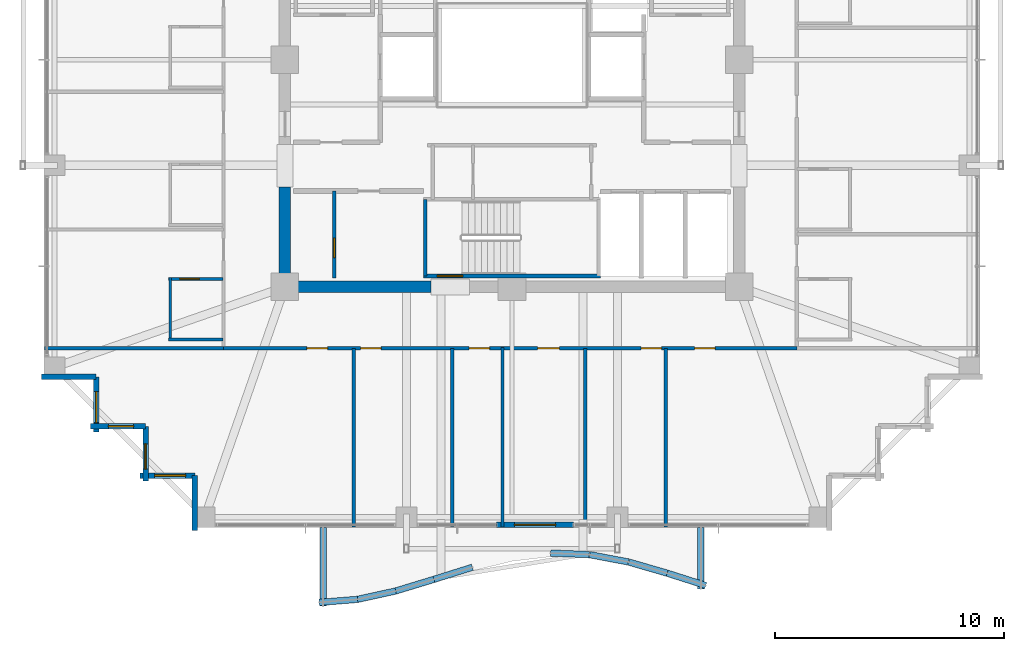
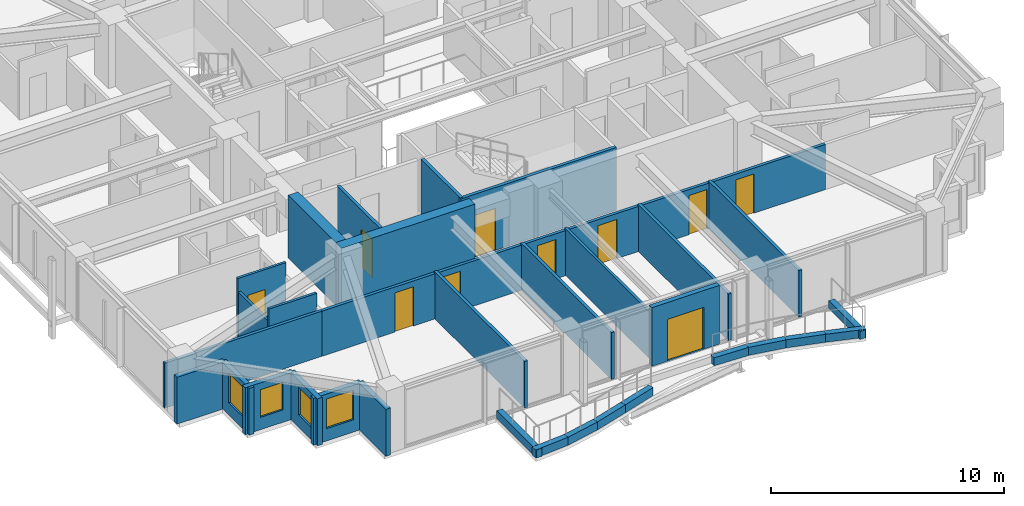
# One storey, part 31 of 37: 32 walls, 10 doors, 4 windows, 14 openings.
"""IFC4 building model written with IfcOpenShell, lengths in metres."""

from ifc_helpers import new_model, si_unit, direction, frame, frame_2d, origin, place, context, subcontext, project, spatial, rectangle, extrude, material, layer, layer_set, type_object, element, fill, save


model = new_model("IFC4")

# Units and contexts
model_context = context("Model", 3, precision=1e-05, world=origin(), true_north=direction((0.0, 1.0)))
body_context = subcontext(model_context, "Body", "Model", "MODEL_VIEW")
ifc_project = project(units=[si_unit("LENGTHUNIT", "METRE"), si_unit("AREAUNIT", "SQUARE_METRE"), si_unit("VOLUMEUNIT", "CUBIC_METRE"), si_unit("PLANEANGLEUNIT", "RADIAN"), si_unit("MASSUNIT", "GRAM", prefix="KILO")], contexts=[model_context])

# Site, building, storey
site_placement = place(None, origin())
site = spatial("IfcSite", under=ifc_project, at=site_placement, CompositionType="ELEMENT")
building_placement = place(site_placement, origin())
building = spatial("IfcBuilding", under=site, at=building_placement, Name="Kolvaren Belvedere", CompositionType="ELEMENT")
storey_placement = place(building_placement, frame((0.0, 0.0, 173.39990234375)))
storey = spatial("IfcBuildingStorey", under=building, at=storey_placement, Name="L50", CompositionType="ELEMENT", Elevation=173.39990234375)

# Walls
ifc_material_1 = material(Name="Concrete C50/60", Category="concrete")
ifc_layer_1 = layer(ifc_material_1, 0.5)
ifc_layer_set_1 = layer_set([ifc_layer_1], Name="Concrete C50/60")
wall_type_1 = type_object("IfcWallType", Name="CW-CORE-500", PredefinedType="SHEAR", material=ifc_layer_set_1)
wall_1_placement = place(storey_placement, frame((-3.5400390625, -9.89990234375, 0.0), z_axis=(0.0, 0.0, 1.0), x_axis=(-1.0, 0.0, 0.0)))
element("IfcWall", 1, at=wall_1_placement, inside=storey, type_object=wall_type_1, Name="L50 South Core Shear Wall 2", PredefinedType="SHEAR", context=body_context, shape_type="SweptSolid", body=[
    extrude(rectangle(XDim=6.60986328125, YDim=0.5, at=frame_2d((3.304931640625, 0.0))), origin(), (0.0, 0.0, 1.0), 3.300048828125),
])
wall_2_placement = place(storey_placement, frame((-9.89990234375, -9.64990234375, 0.0), z_axis=(0.0, 0.0, 1.0), x_axis=(0.0, 1.0, 0.0)))
element("IfcWall", 2, at=wall_2_placement, inside=storey, type_object=wall_type_1, Name="L50 West Core Shear Wall 1", PredefinedType="SHEAR", context=body_context, shape_type="SweptSolid", body=[
    extrude(rectangle(XDim=4.099853515625, YDim=0.5, at=frame_2d((2.0498046875, 0.0))), origin(), (0.0, 0.0, 1.0), 3.300048828125),
])

# Wall, opening, door
ifc_material_2 = material(Name="Concrete C50/60", Category="concrete")
ifc_layer_2 = layer(ifc_material_2, 0.159912109375)
ifc_layer_set_2 = layer_set([ifc_layer_2], Name="Concrete C50/60")
wall_type_2 = type_object("IfcWallType", Name="CW-STAIR-160", PredefinedType="SHEAR", material=ifc_layer_set_2)
wall_3_placement = place(storey_placement, frame((3.860107421875, -9.429931640625, 0.0), z_axis=(0.0, 0.0, 1.0), x_axis=(-1.0, 0.0, 0.0)))
wall_3 = element("IfcWall", 3, at=wall_3_placement, inside=storey, type_object=wall_type_2, Name="L50 Stair ST-3 South Shear Wall", PredefinedType="SHEAR", context=body_context, shape_type="SweptSolid", body=[
    extrude(rectangle(XDim=7.72021484375, YDim=0.159912109375, at=frame_2d((3.860107421875, 0.0))), origin(), (0.0, 0.0, 1.0), 3.300048828125),
])
opening_1_placement = place(wall_3_placement, frame((6.010009765625, 0.0, 0.0)))
opening_1 = element("IfcOpeningElement", 4, at=opening_1_placement, cuts=wall_3, Name="Opening D-FD90", PredefinedType="OPENING", context=body_context, shape_type="SweptSolid", body=[
    extrude(rectangle(XDim=1.10009765625, YDim=2.199951171875, at=frame_2d((0.550048828125, 1.10009765625))), frame((0.0, 0.08984375, 0.0), z_axis=(0.0, -1.0, 0.0), x_axis=(1.0, 0.0, 0.0)), (0.0, 0.0, 1.0), 0.179931640625),
])
ifc_material_3 = material(Name="Painted hollow stainless steel", Category="steel")
door_type_1 = type_object("IfcDoorType", Name="DR-FD90-1100", OperationType="NOTDEFINED", PredefinedType="DOOR", material=ifc_material_3)
door_1_placement = place(opening_1_placement, origin())
door_1 = element("IfcDoor", 5, at=door_1_placement, inside=storey, type_object=door_type_1, Name="L50 Stair ST-3 Exit Door", OperationType="SINGLE_SWING_RIGHT", OverallHeight=2.199951171875, OverallWidth=1.10009765625, PredefinedType="DOOR", context=body_context, shape_type="SweptSolid", body=[
    extrude(rectangle(XDim=1.10009765625, YDim=2.199951171875, at=frame_2d((0.550048828125, 1.10009765625))), frame((0.0, 0.02490234375, 0.0), z_axis=(0.0, -1.0, 0.0), x_axis=(1.0, 0.0, 0.0)), (0.0, 0.0, 1.0), 0.050048828125),
])
fill(opening_1, door_1)

# Wall
wall_4_placement = place(storey_placement, frame((-3.780029296875, -9.429931640625, 0.0), z_axis=(0.0, 0.0, 1.0), x_axis=(0.0, 1.0, 0.0)))
element("IfcWall", 6, at=wall_4_placement, inside=storey, type_object=wall_type_2, Name="L50 Stair ST-3 West Shear Wall", PredefinedType="SHEAR", context=body_context, shape_type="SweptSolid", body=[
    extrude(rectangle(XDim=3.349853515625, YDim=0.159912109375, at=frame_2d((1.6748046875, 0.0))), origin(), (0.0, 0.0, 1.0), 3.300048828125),
])

# Wall, openings, doors
ifc_material_4 = material(Name="Gypsum fire-rated partition assembly", Category="gypsum")
ifc_layer_3 = layer(ifc_material_4, 0.14990234375)
ifc_layer_set_3 = layer_set([ifc_layer_3], Name="Gypsum fire-rated partition assembly")
wall_type_3 = type_object("IfcWallType", Name="WL-CORR-150", PredefinedType="PARTITIONING", material=ifc_layer_set_3)
wall_5_placement = place(storey_placement, frame((-12.580078125, -12.580078125, 0.0), z_axis=(0.0, 0.0, 1.0), x_axis=(1.0, 0.0, 0.0)))
wall_5 = element("IfcWall", 7, at=wall_5_placement, inside=storey, type_object=wall_type_3, Name="L50 South Corridor Wall", PredefinedType="PARTITIONING", context=body_context, shape_type="SweptSolid", body=[
    extrude(rectangle(XDim=25.0, YDim=0.14990234375, at=frame_2d((12.5, 0.0))), origin(), (0.0, 0.0, 1.0), 2.369140625),
])
opening_2_placement = place(wall_5_placement, frame((3.639404296875, 0.0, 0.0)))
opening_2 = element("IfcOpeningElement", 8, at=opening_2_placement, cuts=wall_5, Name="Opening D-INT90", PredefinedType="OPENING", context=body_context, shape_type="SweptSolid", body=[
    extrude(rectangle(XDim=0.89990234375, YDim=2.06005859375, at=frame_2d((0.449951171875, 1.030029296875))), frame((0.0, 0.0849609375, 0.0), z_axis=(0.0, -1.0, 0.0), x_axis=(1.0, 0.0, 0.0)), (0.0, 0.0, 1.0), 0.169921875),
])
opening_3_placement = place(wall_5_placement, frame((5.974365234375, 0.0, 0.0)))
opening_3 = element("IfcOpeningElement", 9, at=opening_3_placement, cuts=wall_5, Name="Opening D-INT90", PredefinedType="OPENING", context=body_context, shape_type="SweptSolid", body=[
    extrude(rectangle(XDim=0.89990234375, YDim=2.06005859375, at=frame_2d((0.449951171875, 1.030029296875))), frame((0.0, 0.0849609375, 0.0), z_axis=(0.0, -1.0, 0.0), x_axis=(1.0, 0.0, 0.0)), (0.0, 0.0, 1.0), 0.169921875),
])
opening_4_placement = place(wall_5_placement, frame((10.70849609375, 0.0, 0.0)))
opening_4 = element("IfcOpeningElement", 10, at=opening_4_placement, cuts=wall_5, Name="Opening D-INT90", PredefinedType="OPENING", context=body_context, shape_type="SweptSolid", body=[
    extrude(rectangle(XDim=0.89990234375, YDim=2.06005859375, at=frame_2d((0.449951171875, 1.030029296875))), frame((0.0, 0.0849609375, 0.0), z_axis=(0.0, -1.0, 0.0), x_axis=(1.0, 0.0, 0.0)), (0.0, 0.0, 1.0), 0.169921875),
])
opening_5_placement = place(wall_5_placement, frame((13.69775390625, 0.0, 0.0)))
opening_5 = element("IfcOpeningElement", 11, at=opening_5_placement, cuts=wall_5, Name="Opening D-INT95", PredefinedType="OPENING", context=body_context, shape_type="SweptSolid", body=[
    extrude(rectangle(XDim=0.949951171875, YDim=2.06005859375, at=frame_2d((0.47509765625, 1.030029296875))), frame((0.0, 0.0849609375, 0.0), z_axis=(0.0, -1.0, 0.0), x_axis=(1.0, 0.0, 0.0)), (0.0, 0.0, 1.0), 0.169921875),
])
opening_6_placement = place(wall_5_placement, frame((18.20556640625, 0.0, 0.0)))
opening_6 = element("IfcOpeningElement", 12, at=opening_6_placement, cuts=wall_5, Name="Opening D-INT90", PredefinedType="OPENING", context=body_context, shape_type="SweptSolid", body=[
    extrude(rectangle(XDim=0.89990234375, YDim=2.06005859375, at=frame_2d((0.449951171875, 1.030029296875))), frame((0.0, 0.0849609375, 0.0), z_axis=(0.0, -1.0, 0.0), x_axis=(1.0, 0.0, 0.0)), (0.0, 0.0, 1.0), 0.169921875),
])
opening_7_placement = place(wall_5_placement, frame((20.54052734375, 0.0, 0.0)))
opening_7 = element("IfcOpeningElement", 13, at=opening_7_placement, cuts=wall_5, Name="Opening D-INT90", PredefinedType="OPENING", context=body_context, shape_type="SweptSolid", body=[
    extrude(rectangle(XDim=0.89990234375, YDim=2.06005859375, at=frame_2d((0.449951171875, 1.030029296875))), frame((0.0, 0.0849609375, 0.0), z_axis=(0.0, -1.0, 0.0), x_axis=(1.0, 0.0, 0.0)), (0.0, 0.0, 1.0), 0.169921875),
])
ifc_material_5 = material(Name="Stained Pacific white oak", Category="timber")
door_type_2 = type_object("IfcDoorType", Name="DR-INT-900", OperationType="NOTDEFINED", PredefinedType="DOOR", material=ifc_material_5)
door_2_placement = place(opening_2_placement, origin())
door_2 = element("IfcDoor", 14, at=door_2_placement, inside=storey, type_object=door_type_2, Name="L50 Guest Tea & Espresso Kitchen 5001 Door", OperationType="SINGLE_SWING_RIGHT", OverallHeight=2.06005859375, OverallWidth=0.89990234375, PredefinedType="DOOR", context=body_context, shape_type="SweptSolid", body=[
    extrude(rectangle(XDim=0.89990234375, YDim=2.06005859375, at=frame_2d((0.449951171875, 1.030029296875))), frame((0.0, 0.02490234375, 0.0), z_axis=(0.0, -1.0, 0.0), x_axis=(1.0, 0.0, 0.0)), (0.0, 0.0, 1.0), 0.050048828125),
])
fill(opening_2, door_2)
door_3_placement = place(opening_3_placement, origin())
door_3 = element("IfcDoor", 15, at=door_3_placement, inside=storey, type_object=door_type_2, Name="L50 Wellness Yoga & Reading Gym 5002 Door", OperationType="SINGLE_SWING_LEFT", OverallHeight=2.06005859375, OverallWidth=0.89990234375, PredefinedType="DOOR", context=body_context, shape_type="SweptSolid", body=[
    extrude(rectangle(XDim=0.89990234375, YDim=2.06005859375, at=frame_2d((0.449951171875, 1.030029296875))), frame((0.0, 0.02490234375, 0.0), z_axis=(0.0, -1.0, 0.0), x_axis=(1.0, 0.0, 0.0)), (0.0, 0.0, 1.0), 0.050048828125),
])
fill(opening_3, door_3)
door_4_placement = place(opening_4_placement, origin())
door_4 = element("IfcDoor", 16, at=door_4_placement, inside=storey, type_object=door_type_2, Name="L50 Housekeeping Door", OperationType="SINGLE_SWING_RIGHT", OverallHeight=2.06005859375, OverallWidth=0.89990234375, PredefinedType="DOOR", context=body_context, shape_type="SweptSolid", body=[
    extrude(rectangle(XDim=0.89990234375, YDim=2.06005859375, at=frame_2d((0.449951171875, 1.030029296875))), frame((0.0, 0.02490234375, 0.0), z_axis=(0.0, -1.0, 0.0), x_axis=(1.0, 0.0, 0.0)), (0.0, 0.0, 1.0), 0.050048828125),
])
fill(opening_4, door_4)
door_5_placement = place(opening_6_placement, origin())
door_5 = element("IfcDoor", 17, at=door_5_placement, inside=storey, type_object=door_type_2, Name="L50 Private Hospitality Meeting Room 5003 Door", OperationType="SINGLE_SWING_RIGHT", OverallHeight=2.06005859375, OverallWidth=0.89990234375, PredefinedType="DOOR", context=body_context, shape_type="SweptSolid", body=[
    extrude(rectangle(XDim=0.89990234375, YDim=2.06005859375, at=frame_2d((0.449951171875, 1.030029296875))), frame((0.0, 0.02490234375, 0.0), z_axis=(0.0, -1.0, 0.0), x_axis=(1.0, 0.0, 0.0)), (0.0, 0.0, 1.0), 0.050048828125),
])
fill(opening_6, door_5)
door_6_placement = place(opening_7_placement, origin())
door_6 = element("IfcDoor", 18, at=door_6_placement, inside=storey, type_object=door_type_2, Name="L50 Botanical Reading Salon 5004 Door", OperationType="SINGLE_SWING_LEFT", OverallHeight=2.06005859375, OverallWidth=0.89990234375, PredefinedType="DOOR", context=body_context, shape_type="SweptSolid", body=[
    extrude(rectangle(XDim=0.89990234375, YDim=2.06005859375, at=frame_2d((0.449951171875, 1.030029296875))), frame((0.0, 0.02490234375, 0.0), z_axis=(0.0, -1.0, 0.0), x_axis=(1.0, 0.0, 0.0)), (0.0, 0.0, 1.0), 0.050048828125),
])
fill(opening_7, door_6)
ifc_material_6 = material(Name="Stained Pacific white oak", Category="timber")
door_type_3 = type_object("IfcDoorType", Name="DR-INT-950", OperationType="NOTDEFINED", PredefinedType="DOOR", material=ifc_material_6)
door_7_placement = place(opening_5_placement, origin())
door_7 = element("IfcDoor", 19, at=door_7_placement, inside=storey, type_object=door_type_3, Name="L50 Accessible Washroom Door", OperationType="SINGLE_SWING_LEFT", OverallHeight=2.06005859375, OverallWidth=0.949951171875, PredefinedType="DOOR", context=body_context, shape_type="SweptSolid", body=[
    extrude(rectangle(XDim=0.949951171875, YDim=2.06005859375, at=frame_2d((0.47509765625, 1.030029296875))), frame((0.0, 0.02490234375, 0.0), z_axis=(0.0, -1.0, 0.0), x_axis=(1.0, 0.0, 0.0)), (0.0, 0.0, 1.0), 0.050048828125),
])
fill(opening_5, door_7)

# Wall, opening, door
ifc_material_7 = material(Name="Insulated pale-metal facade wall assembly", Category="aluminium")
ifc_layer_4 = layer(ifc_material_7, 0.239990234375)
ifc_layer_set_4 = layer_set([ifc_layer_4], Name="Insulated pale-metal facade wall assembly")
wall_type_4 = type_object("IfcWallType", Name="WL-EXT-240", PredefinedType="STANDARD", material=ifc_layer_set_4)
wall_6_placement = place(storey_placement, frame((2.679931640625, -20.280029296875, 0.0), z_axis=(0.0, 0.0, 1.0), x_axis=(-1.0, 0.0, 0.0)))
wall_6 = element("IfcWall", 20, at=wall_6_placement, inside=storey, type_object=wall_type_4, Name="L50 South Terrace Portal Wall", PredefinedType="STANDARD", context=body_context, shape_type="SweptSolid", body=[
    extrude(rectangle(XDim=3.35986328125, YDim=0.239990234375, at=frame_2d((1.679931640625, 0.0))), origin(), (0.0, 0.0, 1.0), 3.080078125),
])
opening_8_placement = place(wall_6_placement, frame((0.780029296875, 0.0, 0.0)))
opening_8 = element("IfcOpeningElement", 21, at=opening_8_placement, cuts=wall_6, Name="Opening DB-1800", PredefinedType="OPENING", context=body_context, shape_type="SweptSolid", body=[
    extrude(rectangle(XDim=1.800048828125, YDim=2.199951171875, at=frame_2d((0.89990234375, 1.10009765625))), frame((0.0, 0.1298828125, 0.0), z_axis=(0.0, -1.0, 0.0), x_axis=(1.0, 0.0, 0.0)), (0.0, 0.0, 1.0), 0.260009765625),
])
ifc_material_8 = material(Name="Thermally broken pale-metal aluminium & low-iron glass", Category="aluminium")
door_type_4 = type_object("IfcDoorType", Name="DR-BAL-1800", OperationType="DOUBLE_DOOR_SLIDING", PredefinedType="DOOR", material=ifc_material_8)
door_8_placement = place(opening_8_placement, origin())
door_8 = element("IfcDoor", 22, at=door_8_placement, inside=storey, type_object=door_type_4, Name="L50 South Planted Terrace Sliding Door", OperationType="DOUBLE_DOOR_SLIDING", OverallHeight=2.199951171875, OverallWidth=1.800048828125, PredefinedType="DOOR", context=body_context, shape_type="SweptSolid", body=[
    extrude(rectangle(XDim=1.800048828125, YDim=2.199951171875, at=frame_2d((0.89990234375, 1.10009765625))), frame((0.0, 0.02490234375, 0.0), z_axis=(0.0, -1.0, 0.0), x_axis=(1.0, 0.0, 0.0)), (0.0, 0.0, 1.0), 0.050048828125),
])
fill(opening_8, door_8)

# Wall
wall_7_placement = place(storey_placement, frame((-18.1298828125, -13.830078125, 0.0), z_axis=(0.0, 0.0, 1.0), x_axis=(-1.0, 0.0, 0.0)))
element("IfcWall", 23, at=wall_7_placement, inside=storey, type_object=wall_type_4, Name="L50 Serrated Corner Facade Wall 23", PredefinedType="STANDARD", context=body_context, shape_type="SweptSolid", body=[
    extrude(rectangle(XDim=2.39013671875, YDim=0.239990234375, at=frame_2d((1.195068359375, 0.0))), origin(), (0.0, 0.0, 1.0), 2.463134765625),
])

# Wall, opening, window
wall_8_placement = place(storey_placement, frame((-18.1298828125, -16.219970703125, 0.0), z_axis=(0.0, 0.0, 1.0), x_axis=(0.0, 1.0, 0.0)))
wall_8 = element("IfcWall", 24, at=wall_8_placement, inside=storey, type_object=wall_type_4, Name="L50 Serrated Corner Facade Wall 24", PredefinedType="STANDARD", context=body_context, shape_type="SweptSolid", body=[
    extrude(rectangle(XDim=2.389892578125, YDim=0.239990234375, at=frame_2d((1.19482421875, 0.0))), origin(), (0.0, 0.0, 1.0), 2.463134765625),
])
opening_9_placement = place(wall_8_placement, frame((0.39990234375, 0.0, 0.64990234375)))
opening_9 = element("IfcOpeningElement", 25, at=opening_9_placement, cuts=wall_8, Name="Opening W-1350", PredefinedType="OPENING", context=body_context, shape_type="SweptSolid", body=[
    extrude(rectangle(XDim=1.35009765625, YDim=1.550048828125, at=frame_2d((0.675048828125, 0.77490234375))), frame((0.0, 0.1298828125, 0.0), z_axis=(0.0, -1.0, 0.0), x_axis=(1.0, 0.0, 0.0)), (0.0, 0.0, 1.0), 0.260009765625),
])
ifc_material_9 = material(Name="Low-iron triple insulated glass", Category="glass")
window_type_1 = type_object("IfcWindowType", Name="WN-CORN-1350", PartitioningType="SINGLE_PANEL", PredefinedType="WINDOW", material=ifc_material_9)
window_1_placement = place(opening_9_placement, origin())
window_1 = element("IfcWindow", 26, at=window_1_placement, inside=storey, type_object=window_type_1, Name="L50 Serrated Corner Vision Window 24", OverallHeight=1.550048828125, OverallWidth=1.35009765625, PartitioningType="SINGLE_PANEL", PredefinedType="WINDOW", context=body_context, shape_type="SweptSolid", body=[
    extrude(rectangle(XDim=1.35009765625, YDim=1.550048828125, at=frame_2d((0.675048828125, 0.77490234375))), frame((0.0, 0.030029296875, 0.0), z_axis=(0.0, -1.0, 0.0), x_axis=(1.0, 0.0, 0.0)), (0.0, 0.0, 1.0), 0.06005859375),
])
fill(opening_9, window_1)

wall_9_placement = place(storey_placement, frame((-15.97998046875, -15.97998046875, 0.0), z_axis=(0.0, 0.0, 1.0), x_axis=(-1.0, 0.0, 0.0)))
wall_9 = element("IfcWall", 27, at=wall_9_placement, inside=storey, type_object=wall_type_4, Name="L50 Serrated Corner Facade Wall 25", PredefinedType="STANDARD", context=body_context, shape_type="SweptSolid", body=[
    extrude(rectangle(XDim=2.39013671875, YDim=0.239990234375, at=frame_2d((1.195068359375, 0.0))), origin(), (0.0, 0.0, 1.0), 2.463134765625),
])
opening_10_placement = place(wall_9_placement, frame((0.52490234375, 0.0, 0.64990234375)))
opening_10 = element("IfcOpeningElement", 28, at=opening_10_placement, cuts=wall_9, Name="Opening W-1100", PredefinedType="OPENING", context=body_context, shape_type="SweptSolid", body=[
    extrude(rectangle(XDim=1.10009765625, YDim=1.449951171875, at=frame_2d((0.550048828125, 0.72509765625))), frame((0.0, 0.1298828125, 0.0), z_axis=(0.0, -1.0, 0.0), x_axis=(1.0, 0.0, 0.0)), (0.0, 0.0, 1.0), 0.260009765625),
])
ifc_material_10 = material(Name="Low-iron triple insulated glass", Category="glass")
window_type_2 = type_object("IfcWindowType", Name="WN-CORN-1100", PartitioningType="SINGLE_PANEL", PredefinedType="WINDOW", material=ifc_material_10)
window_2_placement = place(opening_10_placement, origin())
window_2 = element("IfcWindow", 29, at=window_2_placement, inside=storey, type_object=window_type_2, Name="L50 Serrated Corner Vision Window 25", OverallHeight=1.449951171875, OverallWidth=1.10009765625, PartitioningType="SINGLE_PANEL", PredefinedType="WINDOW", context=body_context, shape_type="SweptSolid", body=[
    extrude(rectangle(XDim=1.10009765625, YDim=1.449951171875, at=frame_2d((0.550048828125, 0.72509765625))), frame((0.0, 0.030029296875, 0.0), z_axis=(0.0, -1.0, 0.0), x_axis=(1.0, 0.0, 0.0)), (0.0, 0.0, 1.0), 0.06005859375),
])
fill(opening_10, window_2)

wall_10_placement = place(storey_placement, frame((-15.97998046875, -18.3701171875, 0.0), z_axis=(0.0, 0.0, 1.0), x_axis=(0.0, 1.0, 0.0)))
wall_10 = element("IfcWall", 30, at=wall_10_placement, inside=storey, type_object=wall_type_4, Name="L50 Serrated Corner Facade Wall 26", PredefinedType="STANDARD", context=body_context, shape_type="SweptSolid", body=[
    extrude(rectangle(XDim=2.39013671875, YDim=0.239990234375, at=frame_2d((1.195068359375, 0.0))), origin(), (0.0, 0.0, 1.0), 2.463134765625),
])
opening_11_placement = place(wall_10_placement, frame((0.52490234375, 0.0, 0.64990234375)))
opening_11 = element("IfcOpeningElement", 31, at=opening_11_placement, cuts=wall_10, Name="Opening W-1100", PredefinedType="OPENING", context=body_context, shape_type="SweptSolid", body=[
    extrude(rectangle(XDim=1.10009765625, YDim=1.449951171875, at=frame_2d((0.550048828125, 0.72509765625))), frame((0.0, 0.1298828125, 0.0), z_axis=(0.0, -1.0, 0.0), x_axis=(1.0, 0.0, 0.0)), (0.0, 0.0, 1.0), 0.260009765625),
])
window_3_placement = place(opening_11_placement, origin())
window_3 = element("IfcWindow", 32, at=window_3_placement, inside=storey, type_object=window_type_2, Name="L50 Serrated Corner Vision Window 26", OverallHeight=1.449951171875, OverallWidth=1.10009765625, PartitioningType="SINGLE_PANEL", PredefinedType="WINDOW", context=body_context, shape_type="SweptSolid", body=[
    extrude(rectangle(XDim=1.10009765625, YDim=1.449951171875, at=frame_2d((0.550048828125, 0.72509765625))), frame((0.0, 0.030029296875, 0.0), z_axis=(0.0, -1.0, 0.0), x_axis=(1.0, 0.0, 0.0)), (0.0, 0.0, 1.0), 0.06005859375),
])
fill(opening_11, window_3)

wall_11_placement = place(storey_placement, frame((-13.830078125, -18.1298828125, 0.0), z_axis=(0.0, 0.0, 1.0), x_axis=(-1.0, 0.0, 0.0)))
wall_11 = element("IfcWall", 33, at=wall_11_placement, inside=storey, type_object=wall_type_4, Name="L50 Serrated Corner Facade Wall 27", PredefinedType="STANDARD", context=body_context, shape_type="SweptSolid", body=[
    extrude(rectangle(XDim=2.389892578125, YDim=0.239990234375, at=frame_2d((1.19482421875, 0.0))), origin(), (0.0, 0.0, 1.0), 2.463134765625),
])
opening_12_placement = place(wall_11_placement, frame((0.39990234375, 0.0, 0.64990234375)))
opening_12 = element("IfcOpeningElement", 34, at=opening_12_placement, cuts=wall_11, Name="Opening W-1350", PredefinedType="OPENING", context=body_context, shape_type="SweptSolid", body=[
    extrude(rectangle(XDim=1.35009765625, YDim=1.550048828125, at=frame_2d((0.675048828125, 0.77490234375))), frame((0.0, 0.1298828125, 0.0), z_axis=(0.0, -1.0, 0.0), x_axis=(1.0, 0.0, 0.0)), (0.0, 0.0, 1.0), 0.260009765625),
])
window_4_placement = place(opening_12_placement, origin())
window_4 = element("IfcWindow", 35, at=window_4_placement, inside=storey, type_object=window_type_1, Name="L50 Serrated Corner Vision Window 27", OverallHeight=1.550048828125, OverallWidth=1.35009765625, PartitioningType="SINGLE_PANEL", PredefinedType="WINDOW", context=body_context, shape_type="SweptSolid", body=[
    extrude(rectangle(XDim=1.35009765625, YDim=1.550048828125, at=frame_2d((0.675048828125, 0.77490234375))), frame((0.0, 0.030029296875, 0.0), z_axis=(0.0, -1.0, 0.0), x_axis=(1.0, 0.0, 0.0)), (0.0, 0.0, 1.0), 0.06005859375),
])
fill(opening_12, window_4)

# Wall
wall_12_placement = place(storey_placement, frame((-13.830078125, -20.52001953125, 0.0), z_axis=(0.0, 0.0, 1.0), x_axis=(0.0, 1.0, 0.0)))
element("IfcWall", 36, at=wall_12_placement, inside=storey, type_object=wall_type_4, Name="L50 Serrated Corner Facade Wall 28", PredefinedType="STANDARD", context=body_context, shape_type="SweptSolid", body=[
    extrude(rectangle(XDim=2.39013671875, YDim=0.239990234375, at=frame_2d((1.195068359375, 0.0))), origin(), (0.0, 0.0, 1.0), 2.463134765625),
])

# Wall, opening, door
ifc_material_11 = material(Name="Gypsum acoustic partition assembly", Category="gypsum")
ifc_layer_5 = layer(ifc_material_11, 0.14990234375)
ifc_layer_set_5 = layer_set([ifc_layer_5], Name="Gypsum acoustic partition assembly")
wall_type_5 = type_object("IfcWallType", Name="WL-PART-150", PredefinedType="PARTITIONING", material=ifc_layer_set_5)
wall_13_placement = place(storey_placement, frame((-7.75, -9.52001953125, 0.0), z_axis=(0.0, 0.0, 1.0), x_axis=(0.0, 1.0, 0.0)))
wall_13 = element("IfcWall", 37, at=wall_13_placement, inside=storey, type_object=wall_type_5, Name="L50 Reclaimed Mid Store Divider", PredefinedType="PARTITIONING", context=body_context, shape_type="SweptSolid", body=[
    extrude(rectangle(XDim=3.800048828125, YDim=0.14990234375, at=frame_2d((1.89990234375, 0.0))), origin(), (0.0, 0.0, 1.0), 3.080078125),
])
opening_13_placement = place(wall_13_placement, frame((0.89990234375, 0.0, 0.0)))
opening_13 = element("IfcOpeningElement", 38, at=opening_13_placement, cuts=wall_13, Name="Opening D-INT85", PredefinedType="OPENING", context=body_context, shape_type="SweptSolid", body=[
    extrude(rectangle(XDim=0.85009765625, YDim=2.030029296875, at=frame_2d((0.425048828125, 1.01513671875))), frame((0.0, 0.0849609375, 0.0), z_axis=(0.0, -1.0, 0.0), x_axis=(1.0, 0.0, 0.0)), (0.0, 0.0, 1.0), 0.169921875),
])
ifc_material_12 = material(Name="Stained Pacific white oak", Category="timber")
door_type_5 = type_object("IfcDoorType", Name="DR-INT-850", OperationType="NOTDEFINED", PredefinedType="DOOR", material=ifc_material_12)
door_9_placement = place(opening_13_placement, origin())
door_9 = element("IfcDoor", 39, at=door_9_placement, inside=storey, type_object=door_type_5, Name="L50 Janitor Store Door", OperationType="SINGLE_SWING_RIGHT", OverallHeight=2.030029296875, OverallWidth=0.85009765625, PredefinedType="DOOR", context=body_context, shape_type="SweptSolid", body=[
    extrude(rectangle(XDim=0.85009765625, YDim=2.030029296875, at=frame_2d((0.425048828125, 1.01513671875))), frame((0.0, 0.02490234375, 0.0), z_axis=(0.0, -1.0, 0.0), x_axis=(1.0, 0.0, 0.0)), (0.0, 0.0, 1.0), 0.050048828125),
])
fill(opening_13, door_9)

# Walls
wall_14_placement = place(storey_placement, frame((-20.3798828125, -12.580078125, 0.0), z_axis=(0.0, 0.0, 1.0), x_axis=(1.0, 0.0, 0.0)))
element("IfcWall", 40, at=wall_14_placement, inside=storey, type_object=wall_type_5, Name="L50 Wing Divider PW-L50-QSW", PredefinedType="PARTITIONING", context=body_context, shape_type="SweptSolid", body=[
    extrude(rectangle(XDim=7.7998046875, YDim=0.14990234375, at=frame_2d((3.89990234375, 0.0))), origin(), (0.0, 0.0, 1.0), 2.369140625),
])
for number, where, z_axis, x_axis, name in (
    (41, (-6.89990234375, -20.3798828125, 0.0), (0.0, 0.0, 1.0), (0.0, 1.0, 0.0), "L50 South Suite Demising Wall 1"),
    (42, (-2.60009765625, -20.3798828125, 0.0), (0.0, 0.0, 1.0), (0.0, 1.0, 0.0), "L50 South Suite Demising Wall 2"),
    (43, (3.199951171875, -20.3798828125, 0.0), (0.0, 0.0, 1.0), (0.0, 1.0, 0.0), "L50 South Suite Demising Wall 3"),
    (44, (6.699951171875, -20.3798828125, 0.0), (0.0, 0.0, 1.0), (0.0, 1.0, 0.0), "L50 South Suite Demising Wall 4"),
):
    element("IfcWall", number, at=place(storey_placement, frame(where, z_axis=z_axis, x_axis=x_axis)), inside=storey, type_object=wall_type_5, Name=name, PredefinedType="PARTITIONING", context=body_context, shape_type="SweptSolid", body=[
        extrude(rectangle(XDim=7.7998046875, YDim=0.14990234375, at=frame_2d((3.89990234375, 0.0))), origin(), (0.0, 0.0, 1.0), 2.453125),
    ])
ifc_material_13 = material(Name="Precast concrete C40/50", Category="concrete")
ifc_layer_6 = layer(ifc_material_13, 0.300048828125)
ifc_layer_set_6 = layer_set([ifc_layer_6], Name="Precast concrete C40/50")
wall_type_6 = type_object("IfcWallType", Name="WL-PLANTER-300", PredefinedType="PARAPET", material=ifc_layer_set_6)
wall_15_placement = place(storey_placement, frame((-8.41259765625, -23.660400390625, -0.039794921875), z_axis=(0.0, 0.0, 1.0), x_axis=(0.99685522818, 0.079244268248, 0.0)))
element("IfcWall", 45, at=wall_15_placement, inside=storey, type_object=wall_type_6, Name="L50 Precast Structural Planter Wall BAL-S-1", PredefinedType="PARAPET", context=body_context, shape_type="SweptSolid", body=[
    extrude(rectangle(XDim=1.685302734375, YDim=0.280029296875, at=frame_2d((0.8427734375, 0.0))), origin(), (0.0, 0.0, 1.0), 0.419921875),
])
wall_16_placement = place(storey_placement, frame((-6.754150390625, -23.530029296875, -0.039794921875), z_axis=(0.0, 0.0, 1.0), x_axis=(0.976876857632, 0.213802724545, 0.0)))
element("IfcWall", 46, at=wall_16_placement, inside=storey, type_object=wall_type_6, Name="L50 Precast Structural Planter Wall BAL-S-2", PredefinedType="PARAPET", context=body_context, shape_type="SweptSolid", body=[
    extrude(rectangle(XDim=1.7197265625, YDim=0.280029296875, at=frame_2d((0.85986328125, 0.0))), origin(), (0.0, 0.0, 1.0), 0.419921875),
])
wall_17_placement = place(storey_placement, frame((-5.086669921875, -23.16552734375, -0.039794921875), z_axis=(0.0, 0.0, 1.0), x_axis=(0.956771481005, 0.290840734999, 0.0)))
element("IfcWall", 47, at=wall_17_placement, inside=storey, type_object=wall_type_6, Name="L50 Precast Structural Planter Wall BAL-S-3", PredefinedType="PARAPET", context=body_context, shape_type="SweptSolid", body=[
    extrude(rectangle(XDim=1.756103515625, YDim=0.280029296875, at=frame_2d((0.8779296875, 0.0))), origin(), (0.0, 0.0, 1.0), 0.419921875),
])
wall_18_placement = place(storey_placement, frame((-3.407958984375, -22.6552734375, -0.039794921875), z_axis=(0.0, 0.0, 1.0), x_axis=(0.954069594374, 0.299585061529, 0.0)))
element("IfcWall", 48, at=wall_18_placement, inside=storey, type_object=wall_type_6, Name="L50 Precast Structural Planter Wall BAL-S-4", PredefinedType="PARAPET", context=body_context, shape_type="SweptSolid", body=[
    extrude(rectangle(XDim=1.760986328125, YDim=0.280029296875, at=frame_2d((0.88037109375, 0.0))), origin(), (0.0, 0.0, 1.0), 0.419921875),
])
wall_19_placement = place(storey_placement, frame((1.686279296875, -21.508544921875, -0.039794921875), z_axis=(0.0, 0.0, 1.0), x_axis=(0.999196778482, -0.040072407855, 0.0)))
element("IfcWall", 49, at=wall_19_placement, inside=storey, type_object=wall_type_6, Name="L50 Precast Structural Planter Wall BAL-S-7", PredefinedType="PARAPET", context=body_context, shape_type="SweptSolid", body=[
    extrude(rectangle(XDim=1.681640625, YDim=0.280029296875, at=frame_2d((0.8408203125, 0.0))), origin(), (0.0, 0.0, 1.0), 0.419921875),
])
wall_20_placement = place(storey_placement, frame((3.3896484375, -21.57861328125, -0.039794921875), z_axis=(0.0, 0.0, 1.0), x_axis=(0.982799348901, -0.18467658162, 0.0)))
element("IfcWall", 50, at=wall_20_placement, inside=storey, type_object=wall_type_6, Name="L50 Precast Structural Planter Wall BAL-S-8", PredefinedType="PARAPET", context=body_context, shape_type="SweptSolid", body=[
    extrude(rectangle(XDim=1.709228515625, YDim=0.280029296875, at=frame_2d((0.8544921875, 0.0))), origin(), (0.0, 0.0, 1.0), 0.419921875),
])
wall_21_placement = place(storey_placement, frame((5.08447265625, -21.89794921875, -0.039794921875), z_axis=(0.0, 0.0, 1.0), x_axis=(0.960633903819, -0.277817391164, 0.0)))
element("IfcWall", 51, at=wall_21_placement, inside=storey, type_object=wall_type_6, Name="L50 Precast Structural Planter Wall BAL-S-9", PredefinedType="PARAPET", context=body_context, shape_type="SweptSolid", body=[
    extrude(rectangle(XDim=1.748779296875, YDim=0.280029296875, at=frame_2d((0.87451171875, 0.0))), origin(), (0.0, 0.0, 1.0), 0.419921875),
])
wall_22_placement = place(storey_placement, frame((6.7685546875, -22.38525390625, -0.039794921875), z_axis=(0.0, 0.0, 1.0), x_axis=(0.952661770826, -0.304032153573, 0.0)))
element("IfcWall", 52, at=wall_22_placement, inside=storey, type_object=wall_type_6, Name="L50 Precast Structural Planter Wall BAL-S-10", PredefinedType="PARAPET", context=body_context, shape_type="SweptSolid", body=[
    extrude(rectangle(XDim=1.763427734375, YDim=0.280029296875, at=frame_2d((0.8818359375, 0.0))), origin(), (0.0, 0.0, 1.0), 0.419921875),
])
wall_23_placement = place(storey_placement, frame((8.239990234375, -23.07373046875, -0.039794921875), z_axis=(0.0, 0.0, 1.0), x_axis=(0.0, 1.0, 0.0)))
element("IfcWall", 53, at=wall_23_placement, inside=storey, type_object=wall_type_6, Name="L50 Precast Structural Planter Wall BAL-S-11", PredefinedType="PARAPET", context=body_context, shape_type="SweptSolid", body=[
    extrude(rectangle(XDim=2.673828125, YDim=0.280029296875, at=frame_2d((1.3369140625, 0.0))), origin(), (0.0, 0.0, 1.0), 0.419921875),
])
wall_24_placement = place(storey_placement, frame((-8.239990234375, -20.39990234375, -0.039794921875), z_axis=(0.0, 0.0, 1.0), x_axis=(0.0, -1.0, 0.0)))
element("IfcWall", 54, at=wall_24_placement, inside=storey, type_object=wall_type_6, Name="L50 Precast Structural Planter Wall BAL-S-22", PredefinedType="PARAPET", context=body_context, shape_type="SweptSolid", body=[
    extrude(rectangle(XDim=3.420166015625, YDim=0.280029296875, at=frame_2d((1.7099609375, 0.0))), origin(), (0.0, 0.0, 1.0), 0.419921875),
])
ifc_material_14 = material(Name="Moisture-resistant gypsum partition", Category="gypsum")
ifc_layer_7 = layer(ifc_material_14, 0.125)
ifc_layer_set_7 = layer_set([ifc_layer_7], Name="Moisture-resistant gypsum partition")
wall_type_7 = type_object("IfcWallType", Name="WL-WET-125", PredefinedType="PARTITIONING", material=ifc_layer_set_7)
wall_25_placement = place(storey_placement, frame((-0.4189453125, -20.3798828125, 0.0), z_axis=(0.0, 0.0, 1.0), x_axis=(0.0, 1.0, 0.0)))
element("IfcWall", 55, at=wall_25_placement, inside=storey, type_object=wall_type_7, Name="L50 Housekeeping Washroom Divider", PredefinedType="PARTITIONING", context=body_context, shape_type="SweptSolid", body=[
    extrude(rectangle(XDim=7.824951171875, YDim=0.125, at=frame_2d((3.91259765625, 0.0))), origin(), (0.0, 0.0, 1.0), 2.453125),
])

# Wall, opening, door
wall_26_placement = place(storey_placement, frame((-14.985107421875, -9.551025390625, 0.0), z_axis=(0.0, 0.0, 1.0), x_axis=(1.0, 0.0, 0.0)))
wall_26 = element("IfcWall", 56, at=wall_26_placement, inside=storey, type_object=wall_type_7, Name="L50 Bathroom Partition PW-L50-BTH-8-N", PredefinedType="PARTITIONING", context=body_context, shape_type="SweptSolid", body=[
    extrude(rectangle(XDim=2.39013671875, YDim=0.125, at=frame_2d((1.195068359375, 0.0))), origin(), (0.0, 0.0, 1.0), 3.080078125),
])
opening_14_placement = place(wall_26_placement, frame((0.5, 0.0, 0.0)))
opening_14 = element("IfcOpeningElement", 57, at=opening_14_placement, cuts=wall_26, Name="Opening D-BTH85", PredefinedType="OPENING", context=body_context, shape_type="SweptSolid", body=[
    extrude(rectangle(XDim=0.85009765625, YDim=2.030029296875, at=frame_2d((0.425048828125, 1.01513671875))), frame((0.0, 0.072509765625, 0.0), z_axis=(0.0, -1.0, 0.0), x_axis=(1.0, 0.0, 0.0)), (0.0, 0.0, 1.0), 0.14501953125),
])
ifc_material_15 = material(Name="Moisture-sealed Pacific white oak", Category="timber")
door_type_6 = type_object("IfcDoorType", Name="DR-BATH-850", OperationType="NOTDEFINED", PredefinedType="DOOR", material=ifc_material_15)
door_10_placement = place(opening_14_placement, origin())
door_10 = element("IfcDoor", 58, at=door_10_placement, inside=storey, type_object=door_type_6, Name="L50 En-Suite Bathroom 5008 Door", OperationType="SINGLE_SWING_RIGHT", OverallHeight=2.030029296875, OverallWidth=0.85009765625, PredefinedType="DOOR", context=body_context, shape_type="SweptSolid", body=[
    extrude(rectangle(XDim=0.85009765625, YDim=2.030029296875, at=frame_2d((0.425048828125, 1.01513671875))), frame((0.0, 0.02490234375, 0.0), z_axis=(0.0, -1.0, 0.0), x_axis=(1.0, 0.0, 0.0)), (0.0, 0.0, 1.0), 0.050048828125),
])
fill(opening_14, door_10)

# Walls
wall_27_placement = place(storey_placement, frame((-14.905029296875, -12.260986328125, 0.0), z_axis=(0.0, 0.0, 1.0), x_axis=(0.0, 1.0, 0.0)))
element("IfcWall", 59, at=wall_27_placement, inside=storey, type_object=wall_type_7, Name="L50 Bathroom Partition PW-L50-BTH-8-V", PredefinedType="PARTITIONING", context=body_context, shape_type="SweptSolid", body=[
    extrude(rectangle(XDim=2.77001953125, YDim=0.125, at=frame_2d((1.385009765625, 0.0))), origin(), (0.0, 0.0, 1.0), 2.369140625),
])
wall_28_placement = place(storey_placement, frame((-14.985107421875, -12.200927734375, 0.0), z_axis=(0.0, 0.0, 1.0), x_axis=(1.0, 0.0, 0.0)))
element("IfcWall", 60, at=wall_28_placement, inside=storey, type_object=wall_type_7, Name="L50 Bathroom Partition PW-L50-BTH-8-S", PredefinedType="PARTITIONING", context=body_context, shape_type="SweptSolid", body=[
    extrude(rectangle(XDim=2.39013671875, YDim=0.125, at=frame_2d((1.195068359375, 0.0))), origin(), (0.0, 0.0, 1.0), 3.080078125),
])

save(model, "model.ifc")
